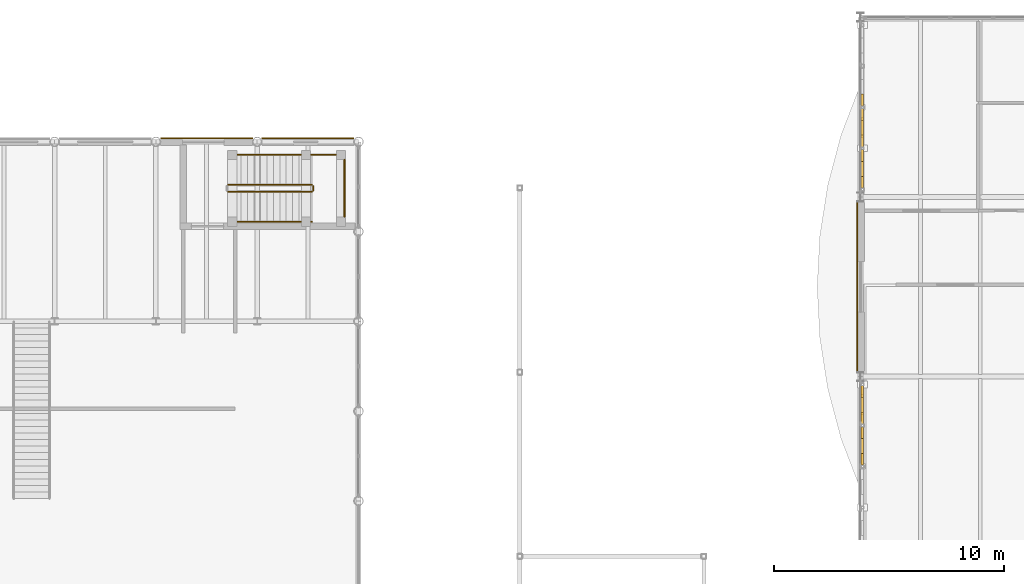
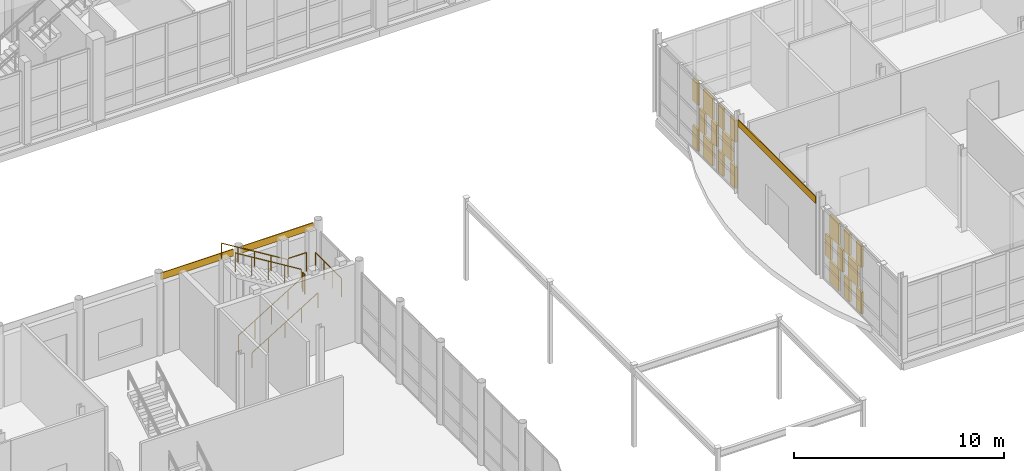
# One storey, part 122 of 131: 23 coverings, 7 railings.
"""IFC4 building model written with IfcOpenShell, lengths in metres."""

import ifcopenshell
import ifcopenshell.guid

model = None  # the IFC model being written
_history = None  # IfcOwnerHistory: only IFC2X3 demands one
_inside = {}  # id of a spatial element -> (the spatial element, [elements in it])
_under = {}  # id of a project, library or spatial element -> (it, [spatial elements below it])
_declared = {}  # id of a project -> (the project, [libraries it declares])
_typed = {}  # id of a type object -> (the type object, [elements of that type])
_made_of = {}  # id of a material, layer set ... -> (it, [elements and type objects made of it])


def new_model(schema):
    """Start an empty IFC model of exactly this schema.

    Asked for "IFC4X3", IfcOpenShell would pick the latest addendum, in which some entities
    have other attributes; the version numbers below select the first issue.
    IFC2X3 requires an IfcOwnerHistory on every rooted entity: one is made here for all.
    """
    global model, _history
    if schema == "IFC4X3":
        model = ifcopenshell.file(schema_version=(4, 3, 0, 0))
    else:
        model = ifcopenshell.file(schema=schema)
    _inside.clear()
    _under.clear()
    _declared.clear()
    _typed.clear()
    _made_of.clear()
    _history = None
    if model.schema == "IFC2X3":
        org = make("IfcOrganization", Name="unknown")
        user = make(
            "IfcPersonAndOrganization",
            ThePerson=make("IfcPerson", FamilyName="unknown"),
            TheOrganization=org,
        )
        app = make(
            "IfcApplication",
            ApplicationDeveloper=org,
            Version="unknown",
            ApplicationFullName="unknown",
            ApplicationIdentifier="unknown",
        )
        _history = make(
            "IfcOwnerHistory",
            OwningUser=user,
            OwningApplication=app,
            ChangeAction="ADDED",
            CreationDate=0,
        )
    return model


def make(cls, **values):
    """One entity of the class cls with the attributes given. An attribute that is None is left unset."""
    return model.create_entity(
        cls, **{name: value for name, value in values.items() if value is not None}
    )


def rooted(cls, **values):
    """An entity with a GlobalId (a new one), such as an element, a storey or a relation."""
    return make(cls, GlobalId=ifcopenshell.guid.new(), OwnerHistory=_history, **values)


def si_unit(unit_type, name, prefix=None):
    """IfcSIUnit, for example si_unit("LENGTHUNIT", "METRE", prefix="MILLI")."""
    return make("IfcSIUnit", UnitType=unit_type, Prefix=prefix, Name=name)


def assignment(units):
    """IfcUnitAssignment: the units of a project."""
    return None if units is None else make("IfcUnitAssignment", Units=units)


def point(xyz):
    """IfcCartesianPoint."""
    return None if xyz is None else make("IfcCartesianPoint", Coordinates=xyz)


def direction(xyz):
    """IfcDirection."""
    return None if xyz is None else make("IfcDirection", DirectionRatios=xyz)


def frame(location, z_axis=None, x_axis=None):
    """IfcAxis2Placement3D, a coordinate frame: its origin and axes. An axis left out is left unset."""
    return make(
        "IfcAxis2Placement3D",
        Location=point(location),
        Axis=direction(z_axis),
        RefDirection=direction(x_axis),
    )


def frame_2d(location, x_axis=None):
    """IfcAxis2Placement2D, a coordinate frame in the plane: its origin and x axis."""
    return make(
        "IfcAxis2Placement2D", Location=point(location), RefDirection=direction(x_axis)
    )


def origin():
    """The frame at (0, 0, 0) with its axes left unset."""
    return frame((0.0, 0.0, 0.0))


def origin_2d():
    """The frame at (0, 0) in the plane with its x axis left unset."""
    return frame_2d((0.0, 0.0))


def place(relative_to, where):
    """IfcLocalPlacement: puts the frame where relative to a parent placement (None: the world)."""
    return make(
        "IfcLocalPlacement", PlacementRelTo=relative_to, RelativePlacement=where
    )


def context(
    kind, dimensions, precision=None, world=None, true_north=None, identifier=None
):
    """IfcGeometricRepresentationContext, for example the 3D "Model" context."""
    return make(
        "IfcGeometricRepresentationContext",
        ContextIdentifier=identifier,
        ContextType=kind,
        CoordinateSpaceDimension=dimensions,
        Precision=precision,
        WorldCoordinateSystem=world,
        TrueNorth=true_north,
    )


def subcontext(parent, identifier, kind, view, scale=None):
    """IfcGeometricRepresentationSubContext, for example "Body" below "Model"."""
    return make(
        "IfcGeometricRepresentationSubContext",
        ContextIdentifier=identifier,
        ContextType=kind,
        ParentContext=parent,
        TargetScale=scale,
        TargetView=view,
    )


def project(units=None, contexts=None):
    """IfcProject with its units and contexts."""
    return rooted(
        "IfcProject",
        Name="project",
        RepresentationContexts=contexts,
        UnitsInContext=assignment(units),
    )


def spatial(cls, under=None, at=None, **own):
    """A site, building, storey or space (cls), placed at a placement, below another one or the project."""
    s = rooted(cls, ObjectPlacement=at, **own)
    if under is not None:
        _under.setdefault(under.id(), (under, []))[1].append(s)
    return s


def profile(cls, at=None, kind="AREA", **sizes):
    """A parametric profile (cls). Its sizes go by their IFC names, for example OverallWidth=200.0."""
    return make(cls, ProfileType=kind, Position=at, **sizes)


def rectangle(**sizes):
    """IfcRectangleProfileDef."""
    return profile("IfcRectangleProfileDef", **sizes)


def circle(**sizes):
    """IfcCircleProfileDef."""
    return profile("IfcCircleProfileDef", **sizes)


def extrude(swept, where, along, depth):
    """IfcExtrudedAreaSolid: the profile swept, set in the frame where, extruded along a direction by depth."""
    return make(
        "IfcExtrudedAreaSolid",
        SweptArea=swept,
        Position=where,
        ExtrudedDirection=direction(along),
        Depth=depth,
    )


def shape(context_of_items, identifier, shape_type, items):
    """IfcShapeRepresentation: the items that make up one representation, for example the "Body"."""
    return make(
        "IfcShapeRepresentation",
        ContextOfItems=context_of_items,
        RepresentationIdentifier=identifier,
        RepresentationType=shape_type,
        Items=items,
    )


def material(Name=None, Category=None):
    """IfcMaterial."""
    return make("IfcMaterial", Name=Name, Category=Category)


def layer(
    of_material, thickness, ventilated=None, Name=None, Category=None, Priority=None
):
    """IfcMaterialLayer: one layer of a wall or slab, of a material (None: an air gap)."""
    return make(
        "IfcMaterialLayer",
        Material=of_material,
        LayerThickness=thickness,
        IsVentilated=ventilated,
        Name=Name,
        Category=Category,
        Priority=Priority,
    )


def layer_set(layers, Name=None):
    """IfcMaterialLayerSet."""
    return make("IfcMaterialLayerSet", MaterialLayers=layers, LayerSetName=Name)


def made_of(thing, what):
    """Note that an element or type object is made of a material, layer set ...; save() writes the relation."""
    if what is not None:
        _made_of.setdefault(what.id(), (what, []))[1].append(thing)
    return thing


def type_object(cls, material=None, **own):
    """A type object (cls), such as IfcWallType, which elements share."""
    return made_of(rooted(cls, **own), material)


def element(
    cls,
    number,
    at=None,
    inside=None,
    cuts=None,
    type_object=None,
    material=None,
    context=None,
    identifier="Body",
    shape_type=None,
    held_by="IfcProductDefinitionShape",
    body=None,
    shapes=None,
    **own,
):
    """One element of the class cls, such as IfcWall. Its Tag is "e" and its number.

    at: its placement. inside: the storey or other place that contains it. cuts: it is an
    opening in that element (IfcRelVoidsElement). A single representation is given by context,
    identifier, shape_type and body (its items); several are given by shapes. held_by: the class
    of the entity that holds the representations. save() writes the other relations.
    """
    e = rooted(cls, Tag="e%d" % number, ObjectPlacement=at, **own)
    if body is not None:
        shapes = [shape(context, identifier, shape_type, body)]
    if shapes is not None:
        e.Representation = make(held_by, Representations=shapes)
    if inside is not None:
        _inside.setdefault(inside.id(), (inside, []))[1].append(e)
    if cuts is not None:
        rooted(
            "IfcRelVoidsElement", RelatingBuildingElement=cuts, RelatedOpeningElement=e
        )
    if type_object is not None:
        _typed.setdefault(type_object.id(), (type_object, []))[1].append(e)
    return made_of(e, material)


def aggregate(whole, parts):
    """IfcRelAggregates: a whole, such as a stair, and the parts it consists of."""
    return rooted("IfcRelAggregates", RelatingObject=whole, RelatedObjects=parts)


def save(model, path):
    """Write the relations noted so far, then the file.

    IfcRelAggregates (storeys below a building ...), IfcRelContainedInSpatialStructure (elements
    in a storey), IfcRelDefinesByType, IfcRelAssociatesMaterial and IfcRelDeclares: one each for
    every whole, place, type object, material and project.
    """
    for whole, parts in _under.values():
        aggregate(whole, parts)
    for where, things in _inside.values():
        rooted(
            "IfcRelContainedInSpatialStructure",
            RelatedElements=things,
            RelatingStructure=where,
        )
    for kind, things in _typed.values():
        rooted("IfcRelDefinesByType", RelatedObjects=things, RelatingType=kind)
    for what, things in _made_of.values():
        rooted("IfcRelAssociatesMaterial", RelatedObjects=things, RelatingMaterial=what)
    for by, libraries in _declared.values():
        rooted("IfcRelDeclares", RelatingContext=by, RelatedDefinitions=libraries)
    model.write(path)


model = new_model("IFC4")

# Units and contexts
model_context = context("Model", 3, precision=1e-05, world=origin(), true_north=direction((0.0, 1.0)))
body_context = subcontext(model_context, "Body", "Model", "MODEL_VIEW")
ifc_project = project(units=[si_unit("LENGTHUNIT", "METRE"), si_unit("AREAUNIT", "SQUARE_METRE"), si_unit("VOLUMEUNIT", "CUBIC_METRE"), si_unit("PLANEANGLEUNIT", "RADIAN"), si_unit("MASSUNIT", "GRAM", prefix="KILO")], contexts=[model_context])

# Site, building, storey
site_placement = place(None, origin())
site = spatial("IfcSite", under=ifc_project, at=site_placement, CompositionType="ELEMENT")
building_placement = place(site_placement, origin())
building = spatial("IfcBuilding", under=site, at=building_placement, Name="Celorna Specialist Clinic", CompositionType="ELEMENT")
storey_placement = place(building_placement, origin())
storey = spatial("IfcBuildingStorey", under=building, at=storey_placement, Name="L00", CompositionType="ELEMENT", Elevation=0.0)

# Coverings
ifc_material_1 = material(Name="Pero Pinheiro Lioz limestone rainscreen cladding", Category="masonry")
ifc_layer_1 = layer(ifc_material_1, 0.044921875, Name="Pero Pinheiro Lioz limestone rainscreen cladding")
ifc_layer_set_1 = layer_set([ifc_layer_1], Name="Pero Pinheiro Lioz limestone rainscreen cladding")
covering_type_1 = type_object("IfcCoveringType", Name="CL-01", PredefinedType="CLADDING", material=ifc_layer_set_1)
for number, where, z_axis, x_axis, name in (
    (1, (96.39990234375, 78.1474609375, 4.14013671875), (0.0, 0.0, 1.0), (1.0, 0.0, 0.0), "Lioz spandrel cladding #89"),
    (2, (100.800048828125, 78.1474609375, 4.14013671875), (0.0, 0.0, 1.0), (1.0, 0.0, 0.0), "Lioz spandrel cladding #90"),
):
    element("IfcCovering", number, at=place(storey_placement, frame(where, z_axis=z_axis, x_axis=x_axis)), inside=storey, type_object=covering_type_1, Name=name, PredefinedType="CLADDING", context=body_context, shape_type="SweptSolid", body=[
        extrude(rectangle(XDim=3.99365234375, YDim=0.044921875, at=origin_2d()), origin(), (0.0, 0.0, 1.0), 0.39990234375),
    ])
covering_1_placement = place(storey_placement, frame((124.652587890625, 71.699951171875, 4.14013671875), z_axis=(0.0, 0.0, 1.0), x_axis=(0.0, 1.0, 0.0)))
element("IfcCovering", 3, at=covering_1_placement, inside=storey, type_object=covering_type_1, Name="Lioz spandrel cladding #146", PredefinedType="CLADDING", context=body_context, shape_type="SweptSolid", body=[
    extrude(rectangle(XDim=7.409912109375, YDim=0.044921875, at=origin_2d()), origin(), (0.0, 0.0, 1.0), 0.39990234375),
])
ifc_material_2 = material(Name="Perforated terracotta brick weave cladding", Category="masonry")
ifc_layer_2 = layer(ifc_material_2, 0.114990234375, Name="Perforated terracotta brick weave cladding")
ifc_layer_set_2 = layer_set([ifc_layer_2], Name="Perforated terracotta brick weave cladding")
covering_type_2 = type_object("IfcCoveringType", Name="CL-02", PredefinedType="CLADDING", material=ifc_layer_set_2)
for number, where, z_axis, x_axis, name in (
    (4, (124.8701171875, 64.21337890625, 0.10009765625), (0.0, 0.0, 1.0), (0.0, 1.0, 0.0), "Woven perforated terracotta brick course #1599"),
    (5, (124.8701171875, 65.368896484375, 0.10009765625), (0.0, 0.0, 1.0), (0.0, 1.0, 0.0), "Woven perforated terracotta brick course #1600"),
):
    element("IfcCovering", number, at=place(storey_placement, frame(where, z_axis=z_axis, x_axis=x_axis)), inside=storey, type_object=covering_type_2, Name=name, PredefinedType="CLADDING", context=body_context, shape_type="SweptSolid", body=[
        extrude(rectangle(XDim=0.507080078125, YDim=0.114990234375, at=origin_2d()), origin(), (0.0, 0.0, 1.0), 1.24658203125),
    ])
covering_2_placement = place(storey_placement, frame((124.8701171875, 64.791259765625, 1.44677734375), z_axis=(0.0, 0.0, 1.0), x_axis=(0.0, 1.0, 0.0)))
element("IfcCovering", 6, at=covering_2_placement, inside=storey, type_object=covering_type_2, Name="Woven perforated terracotta brick course #1601", PredefinedType="CLADDING", context=body_context, shape_type="SweptSolid", body=[
    extrude(rectangle(XDim=0.897705078125, YDim=0.114990234375, at=origin_2d()), origin(), (0.0, 0.0, 1.0), 1.24658203125),
])
for number, where, z_axis, x_axis, name in (
    (7, (124.8701171875, 64.21337890625, 2.793212890625), (0.0, 0.0, 1.0), (0.0, 1.0, 0.0), "Woven perforated terracotta brick course #1602"),
    (8, (124.8701171875, 65.368896484375, 2.793212890625), (0.0, 0.0, 1.0), (0.0, 1.0, 0.0), "Woven perforated terracotta brick course #1603"),
):
    element("IfcCovering", number, at=place(storey_placement, frame(where, z_axis=z_axis, x_axis=x_axis)), inside=storey, type_object=covering_type_2, Name=name, PredefinedType="CLADDING", context=body_context, shape_type="SweptSolid", body=[
        extrude(rectangle(XDim=0.507080078125, YDim=0.114990234375, at=origin_2d()), origin(), (0.0, 0.0, 1.0), 1.24658203125),
    ])
covering_3_placement = place(storey_placement, frame((124.8701171875, 66.57373046875, 0.10009765625), z_axis=(0.0, 0.0, 1.0), x_axis=(0.0, 1.0, 0.0)))
element("IfcCovering", 9, at=covering_3_placement, inside=storey, type_object=covering_type_2, Name="Woven perforated terracotta brick course #1604", PredefinedType="CLADDING", context=body_context, shape_type="SweptSolid", body=[
    extrude(rectangle(XDim=0.897705078125, YDim=0.114990234375, at=origin_2d()), origin(), (0.0, 0.0, 1.0), 1.24658203125),
])
for number, where, z_axis, x_axis, name in (
    (10, (124.8701171875, 65.99609375, 1.44677734375), (0.0, 0.0, 1.0), (0.0, 1.0, 0.0), "Woven perforated terracotta brick course #1605"),
    (11, (124.8701171875, 67.1513671875, 1.44677734375), (0.0, 0.0, 1.0), (0.0, 1.0, 0.0), "Woven perforated terracotta brick course #1606"),
):
    element("IfcCovering", number, at=place(storey_placement, frame(where, z_axis=z_axis, x_axis=x_axis)), inside=storey, type_object=covering_type_2, Name=name, PredefinedType="CLADDING", context=body_context, shape_type="SweptSolid", body=[
        extrude(rectangle(XDim=0.507080078125, YDim=0.114990234375, at=origin_2d()), origin(), (0.0, 0.0, 1.0), 1.24658203125),
    ])
covering_4_placement = place(storey_placement, frame((124.8701171875, 66.57373046875, 2.793212890625), z_axis=(0.0, 0.0, 1.0), x_axis=(0.0, 1.0, 0.0)))
element("IfcCovering", 12, at=covering_4_placement, inside=storey, type_object=covering_type_2, Name="Woven perforated terracotta brick course #1607", PredefinedType="CLADDING", context=body_context, shape_type="SweptSolid", body=[
    extrude(rectangle(XDim=0.897705078125, YDim=0.114990234375, at=origin_2d()), origin(), (0.0, 0.0, 1.0), 1.24658203125),
])
for number, where, z_axis, x_axis, name in (
    (13, (124.8701171875, 76.24853515625, 0.10009765625), (0.0, 0.0, 1.0), (0.0, 1.0, 0.0), "Woven perforated terracotta brick course #1608"),
    (14, (124.8701171875, 77.40380859375, 0.10009765625), (0.0, 0.0, 1.0), (0.0, 1.0, 0.0), "Woven perforated terracotta brick course #1609"),
):
    element("IfcCovering", number, at=place(storey_placement, frame(where, z_axis=z_axis, x_axis=x_axis)), inside=storey, type_object=covering_type_2, Name=name, PredefinedType="CLADDING", context=body_context, shape_type="SweptSolid", body=[
        extrude(rectangle(XDim=0.507080078125, YDim=0.114990234375, at=origin_2d()), origin(), (0.0, 0.0, 1.0), 1.24658203125),
    ])
covering_5_placement = place(storey_placement, frame((124.8701171875, 76.826171875, 1.44677734375), z_axis=(0.0, 0.0, 1.0), x_axis=(0.0, 1.0, 0.0)))
element("IfcCovering", 15, at=covering_5_placement, inside=storey, type_object=covering_type_2, Name="Woven perforated terracotta brick course #1610", PredefinedType="CLADDING", context=body_context, shape_type="SweptSolid", body=[
    extrude(rectangle(XDim=0.897705078125, YDim=0.114990234375, at=origin_2d()), origin(), (0.0, 0.0, 1.0), 1.24658203125),
])
for number, where, z_axis, x_axis, name in (
    (16, (124.8701171875, 76.24853515625, 2.793212890625), (0.0, 0.0, 1.0), (0.0, 1.0, 0.0), "Woven perforated terracotta brick course #1611"),
    (17, (124.8701171875, 77.40380859375, 2.793212890625), (0.0, 0.0, 1.0), (0.0, 1.0, 0.0), "Woven perforated terracotta brick course #1612"),
):
    element("IfcCovering", number, at=place(storey_placement, frame(where, z_axis=z_axis, x_axis=x_axis)), inside=storey, type_object=covering_type_2, Name=name, PredefinedType="CLADDING", context=body_context, shape_type="SweptSolid", body=[
        extrude(rectangle(XDim=0.507080078125, YDim=0.114990234375, at=origin_2d()), origin(), (0.0, 0.0, 1.0), 1.24658203125),
    ])
covering_6_placement = place(storey_placement, frame((124.8701171875, 78.60888671875, 0.10009765625), z_axis=(0.0, 0.0, 1.0), x_axis=(0.0, 1.0, 0.0)))
element("IfcCovering", 18, at=covering_6_placement, inside=storey, type_object=covering_type_2, Name="Woven perforated terracotta brick course #1613", PredefinedType="CLADDING", context=body_context, shape_type="SweptSolid", body=[
    extrude(rectangle(XDim=0.897705078125, YDim=0.114990234375, at=origin_2d()), origin(), (0.0, 0.0, 1.0), 1.24658203125),
])
for number, where, z_axis, x_axis, name in (
    (19, (124.8701171875, 78.031005859375, 1.44677734375), (0.0, 0.0, 1.0), (0.0, 1.0, 0.0), "Woven perforated terracotta brick course #1614"),
    (20, (124.8701171875, 79.186279296875, 1.44677734375), (0.0, 0.0, 1.0), (0.0, 1.0, 0.0), "Woven perforated terracotta brick course #1615"),
):
    element("IfcCovering", number, at=place(storey_placement, frame(where, z_axis=z_axis, x_axis=x_axis)), inside=storey, type_object=covering_type_2, Name=name, PredefinedType="CLADDING", context=body_context, shape_type="SweptSolid", body=[
        extrude(rectangle(XDim=0.507080078125, YDim=0.114990234375, at=origin_2d()), origin(), (0.0, 0.0, 1.0), 1.24658203125),
    ])
covering_7_placement = place(storey_placement, frame((124.8701171875, 78.60888671875, 2.793212890625), z_axis=(0.0, 0.0, 1.0), x_axis=(0.0, 1.0, 0.0)))
element("IfcCovering", 21, at=covering_7_placement, inside=storey, type_object=covering_type_2, Name="Woven perforated terracotta brick course #1616", PredefinedType="CLADDING", context=body_context, shape_type="SweptSolid", body=[
    extrude(rectangle(XDim=0.897705078125, YDim=0.114990234375, at=origin_2d()), origin(), (0.0, 0.0, 1.0), 1.24658203125),
])
for number, where, z_axis, x_axis, name in (
    (22, (124.8701171875, 79.813720703125, 0.10009765625), (0.0, 0.0, 1.0), (0.0, 1.0, 0.0), "Woven perforated terracotta brick course #1617"),
    (23, (124.8701171875, 79.813720703125, 2.793212890625), (0.0, 0.0, 1.0), (0.0, 1.0, 0.0), "Woven perforated terracotta brick course #1620"),
):
    element("IfcCovering", number, at=place(storey_placement, frame(where, z_axis=z_axis, x_axis=x_axis)), inside=storey, type_object=covering_type_2, Name=name, PredefinedType="CLADDING", context=body_context, shape_type="SweptSolid", body=[
        extrude(rectangle(XDim=0.507080078125, YDim=0.114990234375, at=origin_2d()), origin(), (0.0, 0.0, 1.0), 1.24658203125),
    ])

# Railings
ifc_material_3 = material(Name="Powder-coated steel S355", Category="steel")
railing_type_1 = type_object("IfcRailingType", Name="GR-01", PredefinedType="GUARDRAIL", material=ifc_material_3)
railing_1_placement = place(storey_placement, frame((97.340087890625, 75.830078125, 0.17138671875)))
element("IfcRailing", 24, at=railing_1_placement, inside=storey, type_object=railing_type_1, Name="L00 ST-11 stair guard 1", PredefinedType="GUARDRAIL", context=body_context, shape_type="SweptSolid", body=[
    extrude(circle(Radius=0.02392578125, at=origin_2d()), frame((0.0, 0.0, 1.09619140625), z_axis=(0.852850264322, 0.0, 0.5221555579), x_axis=(0.0, 1.0, 0.0)), (0.0, 0.0, 1.0), 4.267822265625),
    extrude(circle(Radius=0.02099609375, at=origin_2d()), origin(), (0.0, 0.0, 1.0), 1.072021484375),
    extrude(circle(Radius=0.02099609375, at=origin_2d()), frame((0.909912109375, 0.0, 0.55712890625)), (0.0, 0.0, 1.0), 1.072021484375),
    extrude(circle(Radius=0.02099609375, at=origin_2d()), frame((1.81982421875, 0.0, 1.1142578125)), (0.0, 0.0, 1.0), 1.072021484375),
    extrude(circle(Radius=0.02099609375, at=origin_2d()), frame((2.72998046875, 0.0, 1.67138671875)), (0.0, 0.0, 1.0), 1.072021484375),
    extrude(circle(Radius=0.02099609375, at=origin_2d()), frame((3.639892578125, 0.0, 2.228515625)), (0.0, 0.0, 1.0), 1.072021484375),
])
railing_2_placement = place(storey_placement, frame((101.030029296875, 75.8798828125, 2.39990234375)))
element("IfcRailing", 25, at=railing_2_placement, inside=storey, type_object=railing_type_1, Name="L00 ST-11 stair guard 2", PredefinedType="GUARDRAIL", context=body_context, shape_type="SweptSolid", body=[
    extrude(circle(Radius=0.02392578125, at=origin_2d()), frame((0.0, 0.0, 1.09619140625), z_axis=(0.0, 1.0, 0.0), x_axis=(-1.0, 0.0, 0.0)), (0.0, 0.0, 1.0), 0.2001953125),
    extrude(circle(Radius=0.02099609375, at=origin_2d()), origin(), (0.0, 0.0, 1.0), 1.072021484375),
    extrude(circle(Radius=0.02099609375, at=origin_2d()), frame((0.0, 0.2001953125, 0.0)), (0.0, 0.0, 1.0), 1.072021484375),
])
railing_3_placement = place(storey_placement, frame((100.97998046875, 76.1298828125, 2.571533203125)))
element("IfcRailing", 26, at=railing_3_placement, inside=storey, type_object=railing_type_1, Name="L00 ST-11 stair guard 3", PredefinedType="GUARDRAIL", context=body_context, shape_type="SweptSolid", body=[
    extrude(circle(Radius=0.02392578125, at=origin_2d()), frame((0.0, 0.0, 1.09619140625), z_axis=(-0.852850264322, 0.0, 0.5221555579), x_axis=(0.0, -1.0, 0.0)), (0.0, 0.0, 1.0), 4.267822265625),
    extrude(circle(Radius=0.02099609375, at=origin_2d()), origin(), (0.0, 0.0, 1.0), 1.072021484375),
    extrude(circle(Radius=0.02099609375, at=origin_2d()), frame((-0.909912109375, 0.0, 0.55712890625)), (0.0, 0.0, 1.0), 1.072021484375),
    extrude(circle(Radius=0.02099609375, at=origin_2d()), frame((-1.81982421875, 0.0, 1.1142578125)), (0.0, 0.0, 1.0), 1.072021484375),
    extrude(circle(Radius=0.02099609375, at=origin_2d()), frame((-2.72998046875, 0.0, 1.67138671875)), (0.0, 0.0, 1.0), 1.072021484375),
    extrude(circle(Radius=0.02099609375, at=origin_2d()), frame((-3.639892578125, 0.0, 2.228515625)), (0.0, 0.0, 1.0), 1.072021484375),
])
railing_4_placement = place(storey_placement, frame((101.0, 77.429931640625, 2.39990234375)))
element("IfcRailing", 27, at=railing_4_placement, inside=storey, type_object=railing_type_1, Name="Stair ST-11 half-landing north guard L00", PredefinedType="GUARDRAIL", context=body_context, shape_type="SweptSolid", body=[
    extrude(circle(Radius=0.02392578125, at=origin_2d()), frame((0.0, 0.0, 1.09619140625), z_axis=(1.0, 0.0, 0.0), x_axis=(0.0, 1.0, 0.0)), (0.0, 0.0, 1.0), 1.02001953125),
    extrude(circle(Radius=0.02099609375, at=origin_2d()), origin(), (0.0, 0.0, 1.0), 1.072021484375),
    extrude(circle(Radius=0.02099609375, at=origin_2d()), frame((1.02001953125, 0.0, 0.0)), (0.0, 0.0, 1.0), 1.072021484375),
])
railing_5_placement = place(storey_placement, frame((102.389892578125, 77.2099609375, 2.39990234375)))
element("IfcRailing", 28, at=railing_5_placement, inside=storey, type_object=railing_type_1, Name="Stair ST-11 half-landing east guard L00", PredefinedType="GUARDRAIL", context=body_context, shape_type="SweptSolid", body=[
    extrude(circle(Radius=0.02392578125, at=origin_2d()), frame((0.0, 0.0, 1.09619140625), z_axis=(0.0, -1.0, 0.0), x_axis=(1.0, 0.0, 0.0)), (0.0, 0.0, 1.0), 2.4599609375),
    extrude(circle(Radius=0.02099609375, at=origin_2d()), origin(), (0.0, 0.0, 1.0), 1.072021484375),
    extrude(circle(Radius=0.02099609375, at=origin_2d()), frame((0.0, -0.820068359375, 0.0)), (0.0, 0.0, 1.0), 1.072021484375),
    extrude(circle(Radius=0.02099609375, at=origin_2d()), frame((0.0, -1.639892578125, 0.0)), (0.0, 0.0, 1.0), 1.072021484375),
    extrude(circle(Radius=0.02099609375, at=origin_2d()), frame((0.0, -2.4599609375, 0.0)), (0.0, 0.0, 1.0), 1.072021484375),
])
ifc_material_4 = material(Name="Brushed stainless steel handrail", Category="steel")
railing_type_2 = type_object("IfcRailingType", Name="HR-01", PredefinedType="HANDRAIL", material=ifc_material_4)
railing_6_placement = place(storey_placement, frame((97.340087890625, 74.530029296875, 0.17138671875)))
element("IfcRailing", 29, at=railing_6_placement, inside=storey, type_object=railing_type_2, Name="L00 ST-11 stair handrail 1", PredefinedType="HANDRAIL", context=body_context, shape_type="SweptSolid", body=[
    extrude(circle(Radius=0.02392578125, at=origin_2d()), frame((0.0, 0.0, 0.8759765625), z_axis=(0.852850264322, 0.0, 0.5221555579), x_axis=(0.0, 1.0, 0.0)), (0.0, 0.0, 1.0), 4.267822265625),
    extrude(circle(Radius=0.02099609375, at=origin_2d()), origin(), (0.0, 0.0, 1.0), 0.851806640625),
    extrude(circle(Radius=0.02099609375, at=origin_2d()), frame((0.909912109375, 0.0, 0.55712890625)), (0.0, 0.0, 1.0), 0.851806640625),
    extrude(circle(Radius=0.02099609375, at=origin_2d()), frame((1.81982421875, 0.0, 1.1142578125)), (0.0, 0.0, 1.0), 0.851806640625),
    extrude(circle(Radius=0.02099609375, at=origin_2d()), frame((2.72998046875, 0.0, 1.67138671875)), (0.0, 0.0, 1.0), 0.851806640625),
    extrude(circle(Radius=0.02099609375, at=origin_2d()), frame((3.639892578125, 0.0, 2.228515625)), (0.0, 0.0, 1.0), 0.851806640625),
])
railing_7_placement = place(storey_placement, frame((100.97998046875, 77.429931640625, 2.571533203125)))
element("IfcRailing", 30, at=railing_7_placement, inside=storey, type_object=railing_type_2, Name="L00 ST-11 stair handrail 2", PredefinedType="HANDRAIL", context=body_context, shape_type="SweptSolid", body=[
    extrude(circle(Radius=0.02392578125, at=origin_2d()), frame((0.0, 0.0, 0.8759765625), z_axis=(-0.852850264322, 0.0, 0.5221555579), x_axis=(0.0, -1.0, 0.0)), (0.0, 0.0, 1.0), 4.267822265625),
    extrude(circle(Radius=0.02099609375, at=origin_2d()), origin(), (0.0, 0.0, 1.0), 0.851806640625),
    extrude(circle(Radius=0.02099609375, at=origin_2d()), frame((-0.909912109375, 0.0, 0.55712890625)), (0.0, 0.0, 1.0), 0.851806640625),
    extrude(circle(Radius=0.02099609375, at=origin_2d()), frame((-1.81982421875, 0.0, 1.1142578125)), (0.0, 0.0, 1.0), 0.851806640625),
    extrude(circle(Radius=0.02099609375, at=origin_2d()), frame((-2.72998046875, 0.0, 1.67138671875)), (0.0, 0.0, 1.0), 0.851806640625),
    extrude(circle(Radius=0.02099609375, at=origin_2d()), frame((-3.639892578125, 0.0, 2.228515625)), (0.0, 0.0, 1.0), 0.851806640625),
])

save(model, "model.ifc")
